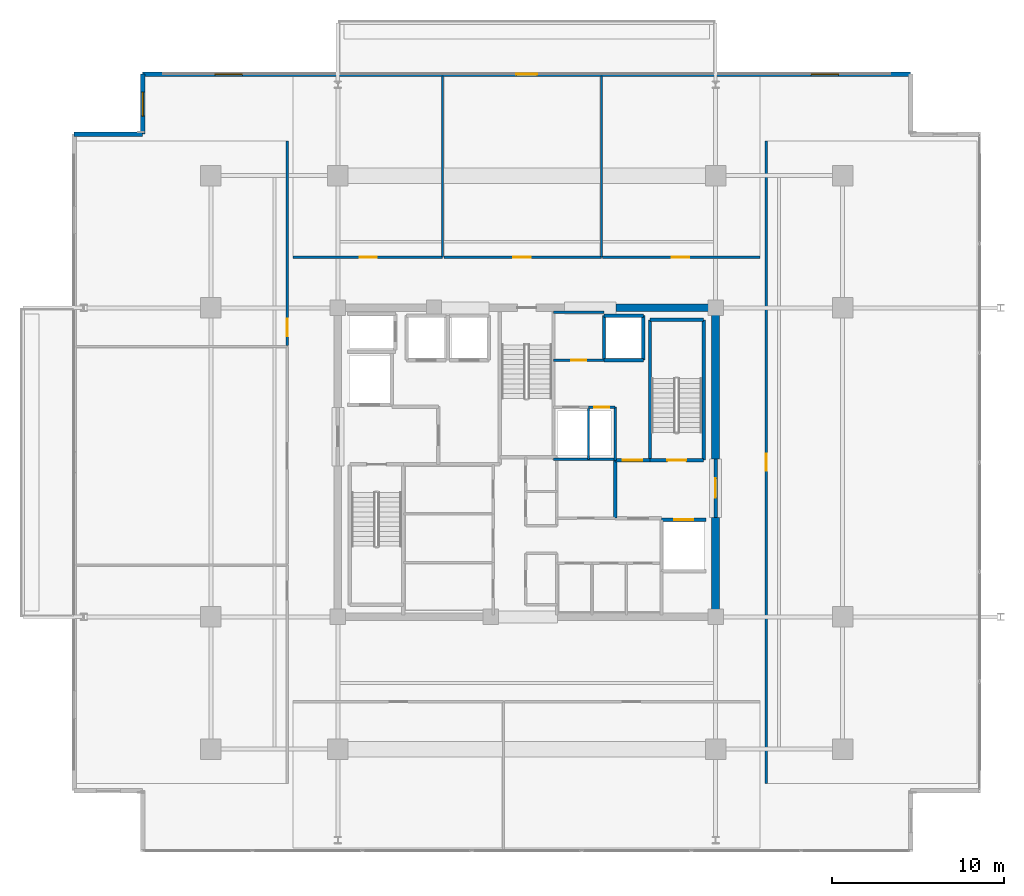
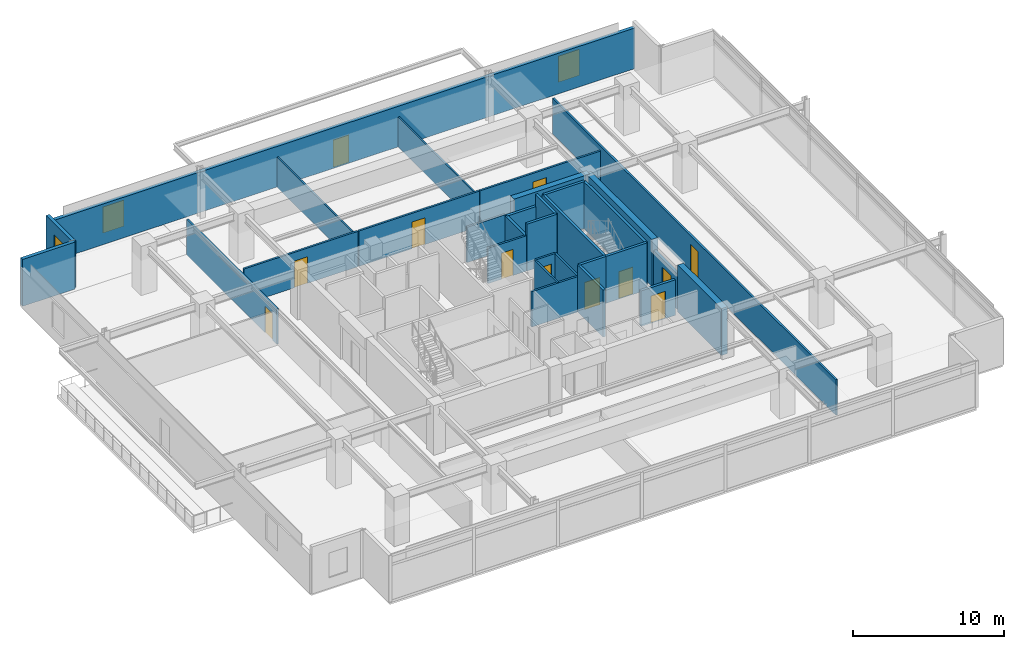
# One storey, part 17 of 21: 31 walls, 12 doors, 3 windows, 15 openings.
"""IFC4 building model written with IfcOpenShell, lengths in metres."""

from ifc_helpers import new_model, si_unit, direction, frame, frame_2d, origin, place, context, subcontext, project, spatial, rectangle, extrude, material, layer, layer_set, type_object, element, fill, save


model = new_model("IFC4")

# Units and contexts
model_context = context("Model", 3, precision=1e-05, world=origin(), true_north=direction((0.0, 1.0)))
body_context = subcontext(model_context, "Body", "Model", "MODEL_VIEW")
ifc_project = project(units=[si_unit("LENGTHUNIT", "METRE"), si_unit("AREAUNIT", "SQUARE_METRE"), si_unit("VOLUMEUNIT", "CUBIC_METRE"), si_unit("PLANEANGLEUNIT", "RADIAN"), si_unit("MASSUNIT", "GRAM", prefix="KILO")], contexts=[model_context])

# Site, building, storey
site_placement = place(None, origin())
site = spatial("IfcSite", under=ifc_project, at=site_placement, CompositionType="ELEMENT")
building_placement = place(site_placement, origin())
building = spatial("IfcBuilding", under=site, at=building_placement, Name="Kovane Verandah Tower", CompositionType="ELEMENT")
storey_placement = place(building_placement, frame((0.0, 0.0, 247.199951171875)))
storey = spatial("IfcBuildingStorey", under=building, at=storey_placement, Name="L57", CompositionType="ELEMENT", Elevation=247.199951171875)

# Walls
ifc_material_1 = material(Name="Fire-Rated Gypsum Stud Partition", Category="gypsum")
ifc_layer_1 = layer(ifc_material_1, 0.14990234375)
ifc_layer_set_1 = layer_set([ifc_layer_1], Name="Fire-Rated Gypsum Stud Partition")
wall_type_1 = type_object("IfcWallType", Name="WL-COR-150", PredefinedType="PARTITIONING", material=ifc_layer_set_1)
wall_1_placement = place(storey_placement, frame((41.56005859375, 27.679931640625, 0.0), z_axis=(0.0, 0.0, 1.0), x_axis=(1.0, 0.0, 0.0)))
element("IfcWall", 1, at=wall_1_placement, inside=storey, type_object=wall_type_1, Name="L57 East Core Service Riser South Wall", PredefinedType="PARTITIONING", context=body_context, shape_type="SweptSolid", body=[
    extrude(rectangle(XDim=3.58984375, YDim=0.14990234375, at=frame_2d((1.794921875, 0.0))), origin(), (0.0, 0.0, 1.0), 2.85009765625),
])
wall_2_placement = place(storey_placement, frame((45.14990234375, 27.6201171875, 0.0), z_axis=(0.0, 0.0, 1.0), x_axis=(0.0, 1.0, 0.0)))
element("IfcWall", 2, at=wall_2_placement, inside=storey, type_object=wall_type_1, Name="L57 East Core Service Riser East Wall", PredefinedType="PARTITIONING", context=body_context, shape_type="SweptSolid", body=[
    extrude(rectangle(XDim=3.099853515625, YDim=0.14990234375, at=frame_2d((1.5498046875, 0.0))), origin(), (0.0, 0.0, 1.0), 2.85009765625),
])

# Wall, opening, door
wall_3_placement = place(storey_placement, frame((43.60009765625, 30.719970703125, 0.0), z_axis=(0.0, 0.0, 1.0), x_axis=(1.0, 0.0, 0.0)))
wall_3 = element("IfcWall", 3, at=wall_3_placement, inside=storey, type_object=wall_type_1, Name="L57 Sprinkler Wet Riser Room Partition", PredefinedType="PARTITIONING", context=body_context, shape_type="SweptSolid", body=[
    extrude(rectangle(XDim=1.5498046875, YDim=0.14990234375, at=frame_2d((0.77490234375, 0.0))), origin(), (0.0, 0.0, 1.0), 2.85009765625),
])
opening_1_placement = place(wall_3_placement, frame((0.3349609375, 0.0, 0.0)))
opening_1 = element("IfcOpeningElement", 4, at=opening_1_placement, cuts=wall_3, Name="Opening DR-L57-021", PredefinedType="OPENING", context=body_context, shape_type="SweptSolid", body=[
    extrude(rectangle(XDim=0.8798828125, YDim=2.10009765625, at=frame_2d((0.43994140625, 1.050048828125))), frame((0.0, 0.074951171875, 0.0), z_axis=(0.0, -1.0, 0.0), x_axis=(1.0, 0.0, 0.0)), (0.0, 0.0, 1.0), 0.14990234375),
])
ifc_material_2 = material(Name="Fire-Rated Steel Riser Access Door", Category="steel")
door_type_1 = type_object("IfcDoorType", Name="DR-RISER-880", OperationType="SINGLE_SWING_LEFT", PredefinedType="DOOR", material=ifc_material_2)
door_1_placement = place(opening_1_placement, origin())
door_1 = element("IfcDoor", 5, at=door_1_placement, inside=storey, type_object=door_type_1, Name="L57 Sprinkler Wet Riser Room Door", OperationType="SINGLE_SWING_LEFT", OverallHeight=2.10009765625, OverallWidth=0.8798828125, PredefinedType="DOOR", context=body_context, shape_type="SweptSolid", body=[
    extrude(rectangle(XDim=0.8798828125, YDim=2.10009765625, at=frame_2d((0.43994140625, 1.050048828125))), frame((0.0, 0.02490234375, 0.0), z_axis=(0.0, -1.0, 0.0), x_axis=(1.0, 0.0, 0.0)), (0.0, 0.0, 1.0), 0.050048828125),
])
fill(opening_1, door_1)

# Wall
wall_4_placement = place(storey_placement, frame((41.56005859375, 36.25, 0.0), z_axis=(0.0, 0.0, 1.0), x_axis=(1.0, 0.0, 0.0)))
element("IfcWall", 6, at=wall_4_placement, inside=storey, type_object=wall_type_1, Name="L57 Sky Telecom Riser North Wall", PredefinedType="PARTITIONING", context=body_context, shape_type="SweptSolid", body=[
    extrude(rectangle(XDim=2.93994140625, YDim=0.14990234375, at=frame_2d((1.469970703125, 0.0))), origin(), (0.0, 0.0, 1.0), 2.85009765625),
])

# Wall, opening, door
wall_5_placement = place(storey_placement, frame((41.56005859375, 33.449951171875, 0.0), z_axis=(0.0, 0.0, 1.0), x_axis=(1.0, 0.0, 0.0)))
wall_5 = element("IfcWall", 7, at=wall_5_placement, inside=storey, type_object=wall_type_1, Name="L57 Sky Telecom Riser Room Partition", PredefinedType="PARTITIONING", context=body_context, shape_type="SweptSolid", body=[
    extrude(rectangle(XDim=2.93994140625, YDim=0.14990234375, at=frame_2d((1.469970703125, 0.0))), origin(), (0.0, 0.0, 1.0), 2.85009765625),
])
opening_2_placement = place(wall_5_placement, frame((1.030029296875, 0.0, 0.0)))
opening_2 = element("IfcOpeningElement", 8, at=opening_2_placement, cuts=wall_5, Name="Opening DR-L57-019", PredefinedType="OPENING", context=body_context, shape_type="SweptSolid", body=[
    extrude(rectangle(XDim=0.8798828125, YDim=2.10009765625, at=frame_2d((0.43994140625, 1.050048828125))), frame((0.0, 0.074951171875, 0.0), z_axis=(0.0, -1.0, 0.0), x_axis=(1.0, 0.0, 0.0)), (0.0, 0.0, 1.0), 0.14990234375),
])
door_2_placement = place(opening_2_placement, origin())
door_2 = element("IfcDoor", 9, at=door_2_placement, inside=storey, type_object=door_type_1, Name="L57 Sky Telecom Riser Room Door", OperationType="SINGLE_SWING_RIGHT", OverallHeight=2.10009765625, OverallWidth=0.8798828125, PredefinedType="DOOR", context=body_context, shape_type="SweptSolid", body=[
    extrude(rectangle(XDim=0.8798828125, YDim=2.10009765625, at=frame_2d((0.43994140625, 1.050048828125))), frame((0.0, 0.02490234375, 0.0), z_axis=(0.0, -1.0, 0.0), x_axis=(1.0, 0.0, 0.0)), (0.0, 0.0, 1.0), 0.050048828125),
])
fill(opening_2, door_2)

wall_6_placement = place(storey_placement, frame((26.39990234375, 39.449951171875, 0.0), z_axis=(0.0, 0.0, 1.0), x_axis=(1.0, 0.0, 0.0)))
wall_6 = element("IfcWall", 10, at=wall_6_placement, inside=storey, type_object=wall_type_1, Name="L57 Focus Studio N1 Corridor Partition", PredefinedType="PARTITIONING", context=body_context, shape_type="SweptSolid", body=[
    extrude(rectangle(XDim=8.7041015625, YDim=0.14990234375, at=frame_2d((4.35205078125, 0.0))), origin(), (0.0, 0.0, 1.0), 2.85009765625),
])
opening_3_placement = place(wall_6_placement, frame((3.866943359375, 0.0, 0.0)))
opening_3 = element("IfcOpeningElement", 11, at=opening_3_placement, cuts=wall_6, Name="Opening DR-L57-022", PredefinedType="OPENING", context=body_context, shape_type="SweptSolid", body=[
    extrude(rectangle(XDim=1.0, YDim=2.14990234375, at=frame_2d((0.5, 1.074951171875))), frame((0.0, 0.074951171875, 0.0), z_axis=(0.0, -1.0, 0.0), x_axis=(1.0, 0.0, 0.0)), (0.0, 0.0, 1.0), 0.14990234375),
])
ifc_material_3 = material(Name="FSC Spotted-Gum Timber Fire-Rated Office Door", Category="wood")
door_type_2 = type_object("IfcDoorType", Name="DR-OFF-1000", OperationType="SINGLE_SWING_LEFT", PredefinedType="DOOR", material=ifc_material_3)
door_3_placement = place(opening_3_placement, origin())
door_3 = element("IfcDoor", 12, at=door_3_placement, inside=storey, type_object=door_type_2, Name="L57 Focus Studio N1 Entrance Door", OperationType="SINGLE_SWING_LEFT", OverallHeight=2.14990234375, OverallWidth=1.0, PredefinedType="DOOR", context=body_context, shape_type="SweptSolid", body=[
    extrude(rectangle(XDim=1.0, YDim=2.14990234375, at=frame_2d((0.5, 1.074951171875))), frame((0.0, 0.02490234375, 0.0), z_axis=(0.0, -1.0, 0.0), x_axis=(1.0, 0.0, 0.0)), (0.0, 0.0, 1.0), 0.050048828125),
])
fill(opening_3, door_3)

wall_7_placement = place(storey_placement, frame((35.174072265625, 39.449951171875, 0.0), z_axis=(0.0, 0.0, 1.0), x_axis=(1.0, 0.0, 0.0)))
wall_7 = element("IfcWall", 13, at=wall_7_placement, inside=storey, type_object=wall_type_1, Name="L57 Breakout Pantry N2 Corridor Partition", PredefinedType="PARTITIONING", context=body_context, shape_type="SweptSolid", body=[
    extrude(rectangle(XDim=9.177978515625, YDim=0.14990234375, at=frame_2d((4.5888671875, 0.0))), origin(), (0.0, 0.0, 1.0), 2.85009765625),
])
opening_4_placement = place(wall_7_placement, frame((4.053955078125, 0.0, 0.0)))
opening_4 = element("IfcOpeningElement", 14, at=opening_4_placement, cuts=wall_7, Name="Opening DR-L57-023", PredefinedType="OPENING", context=body_context, shape_type="SweptSolid", body=[
    extrude(rectangle(XDim=1.0, YDim=2.14990234375, at=frame_2d((0.5, 1.074951171875))), frame((0.0, 0.074951171875, 0.0), z_axis=(0.0, -1.0, 0.0), x_axis=(1.0, 0.0, 0.0)), (0.0, 0.0, 1.0), 0.14990234375),
])
door_4_placement = place(opening_4_placement, origin())
door_4 = element("IfcDoor", 15, at=door_4_placement, inside=storey, type_object=door_type_2, Name="L57 Breakout Pantry N2 Entrance Door", OperationType="SINGLE_SWING_RIGHT", OverallHeight=2.14990234375, OverallWidth=1.0, PredefinedType="DOOR", context=body_context, shape_type="SweptSolid", body=[
    extrude(rectangle(XDim=1.0, YDim=2.14990234375, at=frame_2d((0.5, 1.074951171875))), frame((0.0, 0.02490234375, 0.0), z_axis=(0.0, -1.0, 0.0), x_axis=(1.0, 0.0, 0.0)), (0.0, 0.0, 1.0), 0.050048828125),
])
fill(opening_4, door_4)

wall_8_placement = place(storey_placement, frame((44.422119140625, 39.449951171875, 0.0), z_axis=(0.0, 0.0, 1.0), x_axis=(1.0, 0.0, 0.0)))
wall_8 = element("IfcWall", 16, at=wall_8_placement, inside=storey, type_object=wall_type_1, Name="L57 Collaboration Hub N3 Corridor Partition", PredefinedType="PARTITIONING", context=body_context, shape_type="SweptSolid", body=[
    extrude(rectangle(XDim=9.177978515625, YDim=0.14990234375, at=frame_2d((4.5888671875, 0.0))), origin(), (0.0, 0.0, 1.0), 2.85009765625),
])
opening_5_placement = place(wall_8_placement, frame((4.0390625, 0.0, 0.0)))
opening_5 = element("IfcOpeningElement", 17, at=opening_5_placement, cuts=wall_8, Name="Opening DR-L57-024", PredefinedType="OPENING", context=body_context, shape_type="SweptSolid", body=[
    extrude(rectangle(XDim=1.0, YDim=2.14990234375, at=frame_2d((0.5, 1.074951171875))), frame((0.0, 0.074951171875, 0.0), z_axis=(0.0, -1.0, 0.0), x_axis=(1.0, 0.0, 0.0)), (0.0, 0.0, 1.0), 0.14990234375),
])
door_5_placement = place(opening_5_placement, origin())
door_5 = element("IfcDoor", 18, at=door_5_placement, inside=storey, type_object=door_type_2, Name="L57 Collaboration Hub N3 Entrance Door", OperationType="SINGLE_SWING_LEFT", OverallHeight=2.14990234375, OverallWidth=1.0, PredefinedType="DOOR", context=body_context, shape_type="SweptSolid", body=[
    extrude(rectangle(XDim=1.0, YDim=2.14990234375, at=frame_2d((0.5, 1.074951171875))), frame((0.0, 0.02490234375, 0.0), z_axis=(0.0, -1.0, 0.0), x_axis=(1.0, 0.0, 0.0)), (0.0, 0.0, 1.0), 0.050048828125),
])
fill(opening_5, door_5)

wall_9_placement = place(storey_placement, frame((26.050048828125, 34.30859375, 0.0), z_axis=(0.0, 0.0, 1.0), x_axis=(0.0, 1.0, 0.0)))
wall_9 = element("IfcWall", 19, at=wall_9_placement, inside=storey, type_object=wall_type_1, Name="L57 Meeting Room W3 Corridor Partition", PredefinedType="PARTITIONING", context=body_context, shape_type="SweptSolid", body=[
    extrude(rectangle(XDim=11.90966796875, YDim=0.14990234375, at=frame_2d((5.954833984375, 0.0))), origin(), (0.0, 0.0, 1.0), 2.85009765625),
])
opening_6_placement = place(wall_9_placement, frame((0.545654296875, 0.0, 0.0)))
opening_6 = element("IfcOpeningElement", 20, at=opening_6_placement, cuts=wall_9, Name="Opening DR-L57-032", PredefinedType="OPENING", context=body_context, shape_type="SweptSolid", body=[
    extrude(rectangle(XDim=1.0, YDim=2.14990234375, at=frame_2d((0.5, 1.074951171875))), frame((0.0, 0.074951171875, 0.0), z_axis=(0.0, -1.0, 0.0), x_axis=(1.0, 0.0, 0.0)), (0.0, 0.0, 1.0), 0.14990234375),
])
door_6_placement = place(opening_6_placement, origin())
door_6 = element("IfcDoor", 21, at=door_6_placement, inside=storey, type_object=door_type_2, Name="L57 Meeting Room W3 Entrance Door", OperationType="SINGLE_SWING_RIGHT", OverallHeight=2.14990234375, OverallWidth=1.0, PredefinedType="DOOR", context=body_context, shape_type="SweptSolid", body=[
    extrude(rectangle(XDim=1.0, YDim=2.14990234375, at=frame_2d((0.5, 1.074951171875))), frame((0.0, 0.02490234375, 0.0), z_axis=(0.0, -1.0, 0.0), x_axis=(1.0, 0.0, 0.0)), (0.0, 0.0, 1.0), 0.050048828125),
])
fill(opening_6, door_6)

wall_10_placement = place(storey_placement, frame((53.949951171875, 8.78173828125, 0.0), z_axis=(0.0, 0.0, 1.0), x_axis=(0.0, 1.0, 0.0)))
wall_10 = element("IfcWall", 22, at=wall_10_placement, inside=storey, type_object=wall_type_1, Name="L57 Focus Studio E1 Corridor Partition", PredefinedType="PARTITIONING", context=body_context, shape_type="SweptSolid", body=[
    extrude(rectangle(XDim=37.4365234375, YDim=0.14990234375, at=frame_2d((18.71826171875, 0.0))), origin(), (0.0, 0.0, 1.0), 2.85009765625),
])
opening_7_placement = place(wall_10_placement, frame((18.21826171875, 0.0, 0.0)))
opening_7 = element("IfcOpeningElement", 23, at=opening_7_placement, cuts=wall_10, Name="Opening DR-L57-011", PredefinedType="OPENING", context=body_context, shape_type="SweptSolid", body=[
    extrude(rectangle(XDim=1.0, YDim=2.14990234375, at=frame_2d((0.5, 1.074951171875))), frame((0.0, 0.074951171875, 0.0), z_axis=(0.0, -1.0, 0.0), x_axis=(1.0, 0.0, 0.0)), (0.0, 0.0, 1.0), 0.14990234375),
])
door_7_placement = place(opening_7_placement, origin())
door_7 = element("IfcDoor", 24, at=door_7_placement, inside=storey, type_object=door_type_2, Name="L57 Focus Studio E1 Entrance Door", OperationType="SINGLE_SWING_LEFT", OverallHeight=2.14990234375, OverallWidth=1.0, PredefinedType="DOOR", context=body_context, shape_type="SweptSolid", body=[
    extrude(rectangle(XDim=1.0, YDim=2.14990234375, at=frame_2d((0.5, 1.074951171875))), frame((0.0, 0.02490234375, 0.0), z_axis=(0.0, -1.0, 0.0), x_axis=(1.0, 0.0, 0.0)), (0.0, 0.0, 1.0), 0.050048828125),
])
fill(opening_7, door_7)

# Walls
ifc_material_4 = material(Name="Concrete C60/75", Category="concrete")
ifc_layer_2 = layer(ifc_material_4, 0.449951171875)
ifc_layer_set_2 = layer_set([ifc_layer_2], Name="Concrete C60/75")
wall_type_2 = type_object("IfcWallType", Name="WL-CORE-450", PredefinedType="SHEAR", material=ifc_layer_set_2)
for number, where, z_axis, x_axis, name in (
    (25, (45.199951171875, 36.5, 0.0), (0.0, 0.0, 1.0), (1.0, 0.0, 0.0), "L57 Core Shear Wall CN-3"),
    (26, (51.0, 18.5, 0.0), (0.0, 0.0, 1.0), (0.0, 1.0, 0.0), "L57 Core Shear Wall CE-1"),
):
    element("IfcWall", number, at=place(storey_placement, frame(where, z_axis=z_axis, x_axis=x_axis)), inside=storey, type_object=wall_type_2, Name=name, PredefinedType="SHEAR", context=body_context, shape_type="SweptSolid", body=[
        extrude(rectangle(XDim=5.800048828125, YDim=0.449951171875, at=frame_2d((2.89990234375, 0.0))), origin(), (0.0, 0.0, 1.0), 3.78515625),
    ])
wall_11_placement = place(storey_placement, frame((51.0, 27.699951171875, 0.0), z_axis=(0.0, 0.0, 1.0), x_axis=(0.0, 1.0, 0.0)))
element("IfcWall", 27, at=wall_11_placement, inside=storey, type_object=wall_type_2, Name="L57 Core Shear Wall CE-2", PredefinedType="SHEAR", context=body_context, shape_type="SweptSolid", body=[
    extrude(rectangle(XDim=8.800048828125, YDim=0.449951171875, at=frame_2d((4.39990234375, 0.0))), origin(), (0.0, 0.0, 1.0), 3.78515625),
])
ifc_material_5 = material(Name="Concrete C45/55 Fire Wall", Category="concrete")
ifc_layer_3 = layer(ifc_material_5, 0.199951171875)
ifc_layer_set_3 = layer_set([ifc_layer_3], Name="Concrete C45/55 Fire Wall")
wall_type_3 = type_object("IfcWallType", Name="WL-FFL-200", PredefinedType="PARTITIONING", material=ifc_layer_set_3)
wall_12_placement = place(storey_placement, frame((45.14990234375, 24.25, 0.0), z_axis=(0.0, 0.0, 1.0), x_axis=(0.0, 1.0, 0.0)))
element("IfcWall", 28, at=wall_12_placement, inside=storey, type_object=wall_type_3, Name="L57 East Firefighting Lobby West Fire Wall", PredefinedType="PARTITIONING", context=body_context, shape_type="SweptSolid", body=[
    extrude(rectangle(XDim=3.3701171875, YDim=0.199951171875, at=frame_2d((1.68505859375, 0.0))), origin(), (0.0, 0.0, 1.0), 3.78515625),
])

# Wall, opening, door
wall_13_placement = place(storey_placement, frame((45.14990234375, 27.6201171875, 0.0), z_axis=(0.0, 0.0, 1.0), x_axis=(1.0, 0.0, 0.0)))
wall_13 = element("IfcWall", 29, at=wall_13_placement, inside=storey, type_object=wall_type_3, Name="W-L57-FFLE-N", PredefinedType="PARTITIONING", context=body_context, shape_type="SweptSolid", body=[
    extrude(rectangle(XDim=2.030029296875, YDim=0.199951171875, at=frame_2d((1.01513671875, 0.0))), origin(), (0.0, 0.0, 1.0), 3.78515625),
])
opening_8_placement = place(wall_13_placement, frame((0.43994140625, 0.0, 0.0)))
opening_8 = element("IfcOpeningElement", 30, at=opening_8_placement, cuts=wall_13, Name="Opening DR-L57-004", PredefinedType="OPENING", context=body_context, shape_type="SweptSolid", body=[
    extrude(rectangle(XDim=1.14990234375, YDim=2.199951171875, at=frame_2d((0.574951171875, 1.10009765625))), frame((0.0, 0.10009765625, 0.0), z_axis=(0.0, -1.0, 0.0), x_axis=(1.0, 0.0, 0.0)), (0.0, 0.0, 1.0), 0.199951171875),
])
ifc_material_6 = material(Name="Smoke-Sealed Firefighting Lobby Door", Category="steel")
door_type_3 = type_object("IfcDoorType", Name="DR-FFL-1150", OperationType="SINGLE_SWING_LEFT", PredefinedType="DOOR", material=ifc_material_6)
door_8_placement = place(opening_8_placement, origin())
door_8 = element("IfcDoor", 31, at=door_8_placement, inside=storey, type_object=door_type_3, Name="L57 East Firefighting Lobby Shuttle Link Door", OperationType="SINGLE_SWING_LEFT", OverallHeight=2.199951171875, OverallWidth=1.14990234375, PredefinedType="DOOR", context=body_context, shape_type="SweptSolid", body=[
    extrude(rectangle(XDim=1.14990234375, YDim=2.199951171875, at=frame_2d((0.574951171875, 1.10009765625))), frame((0.0, 0.02490234375, 0.0), z_axis=(0.0, -1.0, 0.0), x_axis=(1.0, 0.0, 0.0)), (0.0, 0.0, 1.0), 0.050048828125),
])
fill(opening_8, door_8)

wall_14_placement = place(storey_placement, frame((51.0, 24.300048828125, 0.0), z_axis=(0.0, 0.0, 1.0), x_axis=(0.0, 1.0, 0.0)))
wall_14 = element("IfcWall", 32, at=wall_14_placement, inside=storey, type_object=wall_type_3, Name="W-L57-FFLE-OUT", PredefinedType="PARTITIONING", context=body_context, shape_type="SweptSolid", body=[
    extrude(rectangle(XDim=3.39990234375, YDim=0.199951171875, at=frame_2d((1.699951171875, 0.0))), origin(), (0.0, 0.0, 1.0), 2.864990234375),
])
opening_9_placement = place(wall_14_placement, frame((1.125, 0.0, 0.0)))
opening_9 = element("IfcOpeningElement", 33, at=opening_9_placement, cuts=wall_14, Name="Opening DR-L57-005", PredefinedType="OPENING", context=body_context, shape_type="SweptSolid", body=[
    extrude(rectangle(XDim=1.14990234375, YDim=2.199951171875, at=frame_2d((0.574951171875, 1.10009765625))), frame((0.0, 0.10009765625, 0.0), z_axis=(0.0, -1.0, 0.0), x_axis=(1.0, 0.0, 0.0)), (0.0, 0.0, 1.0), 0.199951171875),
])
door_9_placement = place(opening_9_placement, origin())
door_9 = element("IfcDoor", 34, at=door_9_placement, inside=storey, type_object=door_type_3, Name="L57 East Firefighting Lobby Corridor Door", OperationType="SINGLE_SWING_LEFT", OverallHeight=2.199951171875, OverallWidth=1.14990234375, PredefinedType="DOOR", context=body_context, shape_type="SweptSolid", body=[
    extrude(rectangle(XDim=1.14990234375, YDim=2.199951171875, at=frame_2d((0.574951171875, 1.10009765625))), frame((0.0, 0.02490234375, 0.0), z_axis=(0.0, -1.0, 0.0), x_axis=(1.0, 0.0, 0.0)), (0.0, 0.0, 1.0), 0.050048828125),
])
fill(opening_9, door_9)

ifc_material_7 = material(Name="Concrete C45/55 Lift Shaft Wall", Category="concrete")
ifc_layer_4 = layer(ifc_material_7, 0.199951171875)
ifc_layer_set_4 = layer_set([ifc_layer_4], Name="Concrete C45/55 Lift Shaft Wall")
wall_type_4 = type_object("IfcWallType", Name="WL-LIFT-200", PredefinedType="SOLIDWALL", material=ifc_layer_set_4)
wall_15_placement = place(storey_placement, frame((50.449951171875, 24.14990234375, 0.0), z_axis=(0.0, 0.0, 1.0), x_axis=(-1.0, 0.0, 0.0)))
wall_15 = element("IfcWall", 35, at=wall_15_placement, inside=storey, type_object=wall_type_4, Name="L57 Lift FL-02 N Shaft Wall", PredefinedType="SOLIDWALL", context=body_context, shape_type="SweptSolid", body=[
    extrude(rectangle(XDim=2.599853515625, YDim=0.199951171875, at=frame_2d((1.2998046875, 0.0))), origin(), (0.0, 0.0, 1.0), 2.864990234375),
])
opening_10_placement = place(wall_15_placement, frame((0.75, 0.0, 0.0)))
opening_10 = element("IfcOpeningElement", 36, at=opening_10_placement, cuts=wall_15, Name="Opening LD-L57-002", PredefinedType="OPENING", context=body_context, shape_type="SweptSolid", body=[
    extrude(rectangle(XDim=1.10009765625, YDim=2.199951171875, at=frame_2d((0.550048828125, 1.10009765625))), frame((0.0, 0.10009765625, 0.0), z_axis=(0.0, -1.0, 0.0), x_axis=(1.0, 0.0, 0.0)), (0.0, 0.0, 1.0), 0.199951171875),
])
ifc_material_8 = material(Name="Brushed Stainless Steel Sliding Lift Landing Door", Category="steel")
door_type_4 = type_object("IfcDoorType", Name="DR-LIFT-1100", OperationType="SLIDING_TO_RIGHT", PredefinedType="DOOR", material=ifc_material_8)
door_10_placement = place(opening_10_placement, origin())
door_10 = element("IfcDoor", 37, at=door_10_placement, inside=storey, type_object=door_type_4, Name="L57 Lift FL-02 Sliding Landing Door", OperationType="SLIDING_TO_RIGHT", OverallHeight=2.199951171875, OverallWidth=1.10009765625, PredefinedType="DOOR", context=body_context, shape_type="SweptSolid", body=[
    extrude(rectangle(XDim=1.10009765625, YDim=2.199951171875, at=frame_2d((0.550048828125, 1.10009765625))), frame((0.0, 0.02490234375, 0.0), z_axis=(0.0, -1.0, 0.0), x_axis=(1.0, 0.0, 0.0)), (0.0, 0.0, 1.0), 0.050048828125),
])
fill(opening_10, door_10)

# Walls
wall_16_placement = place(storey_placement, frame((44.5, 33.449951171875, 0.0), z_axis=(0.0, 0.0, 1.0), x_axis=(1.0, 0.0, 0.0)))
element("IfcWall", 38, at=wall_16_placement, inside=storey, type_object=wall_type_4, Name="L57 Lift OL-01 S Shaft Wall", PredefinedType="SOLIDWALL", context=body_context, shape_type="SweptSolid", body=[
    extrude(rectangle(XDim=2.300048828125, YDim=0.199951171875, at=frame_2d((1.14990234375, 0.0))), origin(), (0.0, 0.0, 1.0), 3.78515625),
])
wall_17_placement = place(storey_placement, frame((46.800048828125, 36.050048828125, 0.0), z_axis=(0.0, 0.0, 1.0), x_axis=(-1.0, 0.0, 0.0)))
element("IfcWall", 39, at=wall_17_placement, inside=storey, type_object=wall_type_4, Name="L57 Lift OL-01 N Shaft Wall", PredefinedType="SOLIDWALL", context=body_context, shape_type="SweptSolid", body=[
    extrude(rectangle(XDim=2.300048828125, YDim=0.199951171875, at=frame_2d((1.14990234375, 0.0))), origin(), (0.0, 0.0, 1.0), 2.864990234375),
])
wall_18_placement = place(storey_placement, frame((44.5, 36.050048828125, 0.0), z_axis=(0.0, 0.0, 1.0), x_axis=(0.0, -1.0, 0.0)))
element("IfcWall", 40, at=wall_18_placement, inside=storey, type_object=wall_type_4, Name="L57 Lift OL-01 W Shaft Wall", PredefinedType="SOLIDWALL", context=body_context, shape_type="SweptSolid", body=[
    extrude(rectangle(XDim=2.60009765625, YDim=0.199951171875, at=frame_2d((1.300048828125, 0.0))), origin(), (0.0, 0.0, 1.0), 2.864990234375),
])
wall_19_placement = place(storey_placement, frame((46.800048828125, 33.449951171875, 0.0), z_axis=(0.0, 0.0, 1.0), x_axis=(0.0, 1.0, 0.0)))
element("IfcWall", 41, at=wall_19_placement, inside=storey, type_object=wall_type_4, Name="L57 Lift OL-01 E Shaft Wall", PredefinedType="SOLIDWALL", context=body_context, shape_type="SweptSolid", body=[
    extrude(rectangle(XDim=2.60009765625, YDim=0.199951171875, at=frame_2d((1.300048828125, 0.0))), origin(), (0.0, 0.0, 1.0), 3.78515625),
])
ifc_material_9 = material(Name="Acoustic Fire-Rated Gypsum Partition", Category="gypsum")
ifc_layer_5 = layer(ifc_material_9, 0.1201171875)
ifc_layer_set_5 = layer_set([ifc_layer_5], Name="Acoustic Fire-Rated Gypsum Partition")
wall_type_5 = type_object("IfcWallType", Name="WL-PART-120", PredefinedType="PARTITIONING", material=ifc_layer_set_5)
wall_20_placement = place(storey_placement, frame((43.60009765625, 27.679931640625, 0.0), z_axis=(0.0, 0.0, 1.0), x_axis=(0.0, 1.0, 0.0)))
element("IfcWall", 42, at=wall_20_placement, inside=storey, type_object=wall_type_5, Name="L57 Service Riser Dividing Partition", PredefinedType="PARTITIONING", context=body_context, shape_type="SweptSolid", body=[
    extrude(rectangle(XDim=3.0400390625, YDim=0.1201171875, at=frame_2d((1.52001953125, 0.0))), origin(), (0.0, 0.0, 1.0), 2.85009765625),
])
for number, where, z_axis, x_axis, name in (
    (43, (35.10400390625, 39.449951171875, 0.0), (0.0, 0.0, 1.0), (0.0, 1.0, 0.0), "L57 Focus Studio N1 Dividing Partition"),
    (44, (44.35205078125, 39.449951171875, 0.0), (0.0, 0.0, 1.0), (0.0, 1.0, 0.0), "L57 Breakout Pantry N2 Dividing Partition"),
):
    element("IfcWall", number, at=place(storey_placement, frame(where, z_axis=z_axis, x_axis=x_axis)), inside=storey, type_object=wall_type_5, Name=name, PredefinedType="PARTITIONING", context=body_context, shape_type="SweptSolid", body=[
        extrude(rectangle(XDim=10.568359375, YDim=0.1201171875, at=frame_2d((5.2841796875, 0.0))), origin(), (0.0, 0.0, 1.0), 2.4150390625),
    ])
ifc_material_10 = material(Name="Concrete C45/55", Category="concrete")
ifc_layer_6 = layer(ifc_material_10, 0.199951171875)
ifc_layer_set_6 = layer_set([ifc_layer_6], Name="Concrete C45/55")
wall_type_6 = type_object("IfcWallType", Name="WL-SHAFT-200", PredefinedType="SOLIDWALL", material=ifc_layer_set_6)
wall_21_placement = place(storey_placement, frame((50.300048828125, 27.64990234375, 0.0), z_axis=(0.0, 0.0, 1.0), x_axis=(0.0, 1.0, 0.0)))
element("IfcWall", 45, at=wall_21_placement, inside=storey, type_object=wall_type_6, Name="W-L57-ST02-E", PredefinedType="SOLIDWALL", context=body_context, shape_type="SweptSolid", body=[
    extrude(rectangle(XDim=8.150146484375, YDim=0.199951171875, at=frame_2d((4.0751953125, 0.0))), origin(), (0.0, 0.0, 1.0), 3.78515625),
])
wall_22_placement = place(storey_placement, frame((47.179931640625, 35.800048828125, 0.0), z_axis=(0.0, 0.0, 1.0), x_axis=(1.0, 0.0, 0.0)))
element("IfcWall", 46, at=wall_22_placement, inside=storey, type_object=wall_type_6, Name="W-L57-ST02-N", PredefinedType="SOLIDWALL", context=body_context, shape_type="SweptSolid", body=[
    extrude(rectangle(XDim=3.1201171875, YDim=0.199951171875, at=frame_2d((1.56005859375, 0.0))), origin(), (0.0, 0.0, 1.0), 3.78515625),
])
wall_23_placement = place(storey_placement, frame((47.179931640625, 27.6201171875, 0.0), z_axis=(0.0, 0.0, 1.0), x_axis=(0.0, 1.0, 0.0)))
element("IfcWall", 47, at=wall_23_placement, inside=storey, type_object=wall_type_6, Name="W-L57-ST02-W", PredefinedType="SOLIDWALL", context=body_context, shape_type="SweptSolid", body=[
    extrude(rectangle(XDim=8.179931640625, YDim=0.199951171875, at=frame_2d((4.08984375, 0.0))), origin(), (0.0, 0.0, 1.0), 3.78515625),
])

# Wall, opening, door
wall_24_placement = place(storey_placement, frame((47.179931640625, 27.6201171875, 0.0), z_axis=(0.0, 0.0, 1.0), x_axis=(1.0, 0.0, 0.0)))
wall_24 = element("IfcWall", 48, at=wall_24_placement, inside=storey, type_object=wall_type_6, Name="W-L57-ST02-S", PredefinedType="SOLIDWALL", context=body_context, shape_type="SweptSolid", body=[
    extrude(rectangle(XDim=3.1201171875, YDim=0.199951171875, at=frame_2d((1.56005859375, 0.0))), origin(), (0.0, 0.0, 1.0), 3.78515625),
])
opening_11_placement = place(wall_24_placement, frame((1.010009765625, 0.0, 0.0)))
opening_11 = element("IfcOpeningElement", 49, at=opening_11_placement, cuts=wall_24, Name="Opening DR-L57-009", PredefinedType="OPENING", context=body_context, shape_type="SweptSolid", body=[
    extrude(rectangle(XDim=1.10009765625, YDim=2.14990234375, at=frame_2d((0.550048828125, 1.074951171875))), frame((0.0, 0.10009765625, 0.0), z_axis=(0.0, -1.0, 0.0), x_axis=(1.0, 0.0, 0.0)), (0.0, 0.0, 1.0), 0.199951171875),
])
ifc_material_11 = material(Name="Fire-Rated Steel Exit Door", Category="steel")
door_type_5 = type_object("IfcDoorType", Name="DR-STAIR-1100", OperationType="SINGLE_SWING_LEFT", PredefinedType="DOOR", material=ifc_material_11)
door_11_placement = place(opening_11_placement, origin())
door_11 = element("IfcDoor", 50, at=door_11_placement, inside=storey, type_object=door_type_5, Name="L57 ST-02 Fire Exit Stair Door", OperationType="SINGLE_SWING_RIGHT", OverallHeight=2.14990234375, OverallWidth=1.10009765625, PredefinedType="DOOR", context=body_context, shape_type="SweptSolid", body=[
    extrude(rectangle(XDim=1.10009765625, YDim=2.14990234375, at=frame_2d((0.550048828125, 1.074951171875))), frame((0.0, 0.02490234375, 0.0), z_axis=(0.0, -1.0, 0.0), x_axis=(1.0, 0.0, 0.0)), (0.0, 0.0, 1.0), 0.050048828125),
])
fill(opening_11, door_11)

# Wall, openings, door, windows
ifc_material_12 = material(Name="Concrete C45/55 Insulated Spandrel Wall", Category="concrete")
ifc_layer_7 = layer(ifc_material_12, 0.260009765625)
ifc_layer_set_7 = layer_set([ifc_layer_7], Name="Concrete C45/55 Insulated Spandrel Wall")
wall_type_7 = type_object("IfcWallType", Name="WL-SPANDREL-260", PredefinedType="PARAPET", material=ifc_layer_set_7)
wall_25_placement = place(storey_placement, frame((62.366455078125, 50.1181640625, 0.0), z_axis=(0.0, 0.0, 1.0), x_axis=(-1.0, 0.0, 0.0)))
wall_25 = element("IfcWall", 51, at=wall_25_placement, inside=storey, type_object=wall_type_7, Name="L57 N Verandah Access Facade Wall", PredefinedType="PARAPET", context=body_context, shape_type="SweptSolid", body=[
    extrude(rectangle(XDim=44.73291015625, YDim=0.260009765625, at=frame_2d((22.366455078125, 0.0))), origin(), (0.0, 0.0, 1.0), 3.27294921875),
])
opening_12_placement = place(wall_25_placement, frame((4.199951171875, 0.0, 0.85009765625)))
opening_12 = element("IfcOpeningElement", 52, at=opening_12_placement, cuts=wall_25, Name="Opening W-02", PredefinedType="OPENING", context=body_context, shape_type="SweptSolid", body=[
    extrude(rectangle(XDim=1.60009765625, YDim=2.10009765625, at=frame_2d((0.800048828125, 1.050048828125))), frame((0.0, 0.1298828125, 0.0), z_axis=(0.0, -1.0, 0.0), x_axis=(1.0, 0.0, 0.0)), (0.0, 0.0, 1.0), 0.260009765625),
])
opening_13_placement = place(wall_25_placement, frame((21.7666015625, 0.0, 0.0)))
opening_13 = element("IfcOpeningElement", 53, at=opening_13_placement, cuts=wall_25, Name="Opening DR-L57-001", PredefinedType="OPENING", context=body_context, shape_type="SweptSolid", body=[
    extrude(rectangle(XDim=1.199951171875, YDim=2.199951171875, at=frame_2d((0.60009765625, 1.10009765625))), frame((0.0, 0.1298828125, 0.0), z_axis=(0.0, -1.0, 0.0), x_axis=(1.0, 0.0, 0.0)), (0.0, 0.0, 1.0), 0.260009765625),
])
opening_14_placement = place(wall_25_placement, frame((38.93310546875, 0.0, 0.85009765625)))
opening_14 = element("IfcOpeningElement", 54, at=opening_14_placement, cuts=wall_25, Name="Opening W-02", PredefinedType="OPENING", context=body_context, shape_type="SweptSolid", body=[
    extrude(rectangle(XDim=1.60009765625, YDim=2.10009765625, at=frame_2d((0.800048828125, 1.050048828125))), frame((0.0, 0.1298828125, 0.0), z_axis=(0.0, -1.0, 0.0), x_axis=(1.0, 0.0, 0.0)), (0.0, 0.0, 1.0), 0.260009765625),
])
ifc_material_13 = material(Name="Cyclone-Rated Glazed Balcony Leaf Door", Category="aluminium")
door_type_6 = type_object("IfcDoorType", Name="DR-BAL-1200x2200", OperationType="SINGLE_SWING_LEFT", PredefinedType="DOOR", material=ifc_material_13)
door_12_placement = place(opening_13_placement, origin())
door_12 = element("IfcDoor", 55, at=door_12_placement, inside=storey, type_object=door_type_6, Name="L57 N Planted Balcony Access Door", OperationType="SINGLE_SWING_LEFT", OverallHeight=2.199951171875, OverallWidth=1.199951171875, PredefinedType="DOOR", context=body_context, shape_type="SweptSolid", body=[
    extrude(rectangle(XDim=1.199951171875, YDim=2.199951171875, at=frame_2d((0.60009765625, 1.10009765625))), frame((0.0, 0.02490234375, 0.0), z_axis=(0.0, -1.0, 0.0), x_axis=(1.0, 0.0, 0.0)), (0.0, 0.0, 1.0), 0.050048828125),
])
fill(opening_13, door_12)
ifc_material_14 = material(Name="Clear Low-E Laminated Double Glazing in Anodised Frame", Category="glass")
window_type_1 = type_object("IfcWindowType", Name="WN-OPER-1600x2100", PartitioningType="SINGLE_PANEL", PredefinedType="WINDOW", material=ifc_material_14)
window_1_placement = place(opening_12_placement, origin())
window_1 = element("IfcWindow", 56, at=window_1_placement, inside=storey, type_object=window_type_1, Name="L57 N Verandah View Window 1", OverallHeight=2.10009765625, OverallWidth=1.60009765625, PartitioningType="SINGLE_PANEL", PredefinedType="WINDOW", context=body_context, shape_type="SweptSolid", body=[
    extrude(rectangle(XDim=1.60009765625, YDim=2.10009765625, at=frame_2d((0.800048828125, 1.050048828125))), frame((0.0, 0.030029296875, 0.0), z_axis=(0.0, -1.0, 0.0), x_axis=(1.0, 0.0, 0.0)), (0.0, 0.0, 1.0), 0.06005859375),
])
fill(opening_12, window_1)
window_2_placement = place(opening_14_placement, origin())
window_2 = element("IfcWindow", 57, at=window_2_placement, inside=storey, type_object=window_type_1, Name="L57 N Verandah View Window 2", OverallHeight=2.10009765625, OverallWidth=1.60009765625, PartitioningType="SINGLE_PANEL", PredefinedType="WINDOW", context=body_context, shape_type="SweptSolid", body=[
    extrude(rectangle(XDim=1.60009765625, YDim=2.10009765625, at=frame_2d((0.800048828125, 1.050048828125))), frame((0.0, 0.030029296875, 0.0), z_axis=(0.0, -1.0, 0.0), x_axis=(1.0, 0.0, 0.0)), (0.0, 0.0, 1.0), 0.06005859375),
])
fill(opening_14, window_2)

# Wall, opening, window
wall_26_placement = place(storey_placement, frame((17.633544921875, 50.1181640625, 0.0), z_axis=(0.0, 0.0, 1.0), x_axis=(0.0, -1.0, 0.0)))
wall_26 = element("IfcWall", 58, at=wall_26_placement, inside=storey, type_object=wall_type_7, Name="L57 NW Notch Cheek Wall 1", PredefinedType="PARAPET", context=body_context, shape_type="SweptSolid", body=[
    extrude(rectangle(XDim=3.5, YDim=0.260009765625, at=frame_2d((1.75, 0.0))), origin(), (0.0, 0.0, 1.0), 3.78515625),
])
opening_15_placement = place(wall_26_placement, frame((1.050048828125, 0.0, 0.85009765625)))
opening_15 = element("IfcOpeningElement", 59, at=opening_15_placement, cuts=wall_26, Name="Opening W-01", PredefinedType="OPENING", context=body_context, shape_type="SweptSolid", body=[
    extrude(rectangle(XDim=1.39990234375, YDim=2.0, at=frame_2d((0.699951171875, 1.0))), frame((0.0, 0.1298828125, 0.0), z_axis=(0.0, -1.0, 0.0), x_axis=(1.0, 0.0, 0.0)), (0.0, 0.0, 1.0), 0.260009765625),
])
window_type_2 = type_object("IfcWindowType", Name="WN-OPER-1400x2000", PartitioningType="SINGLE_PANEL", PredefinedType="WINDOW", material=ifc_material_14)
window_3_placement = place(opening_15_placement, origin())
window_3 = element("IfcWindow", 60, at=window_3_placement, inside=storey, type_object=window_type_2, Name="L57 NW Re-Entrant Corner Operable Window", OverallHeight=2.0, OverallWidth=1.39990234375, PartitioningType="SINGLE_PANEL", PredefinedType="WINDOW", context=body_context, shape_type="SweptSolid", body=[
    extrude(rectangle(XDim=1.39990234375, YDim=2.0, at=frame_2d((0.699951171875, 1.0))), frame((0.0, 0.030029296875, 0.0), z_axis=(0.0, -1.0, 0.0), x_axis=(1.0, 0.0, 0.0)), (0.0, 0.0, 1.0), 0.06005859375),
])
fill(opening_15, window_3)

# Wall
wall_27_placement = place(storey_placement, frame((17.633544921875, 46.6181640625, 0.0), z_axis=(0.0, 0.0, 1.0), x_axis=(-1.0, 0.0, 0.0)))
element("IfcWall", 61, at=wall_27_placement, inside=storey, type_object=wall_type_7, Name="L57 NW Notch Cheek Wall 2", PredefinedType="PARAPET", context=body_context, shape_type="SweptSolid", body=[
    extrude(rectangle(XDim=4.0, YDim=0.260009765625, at=frame_2d((2.0, 0.0))), origin(), (0.0, 0.0, 1.0), 3.78515625),
])

save(model, "model.ifc")
